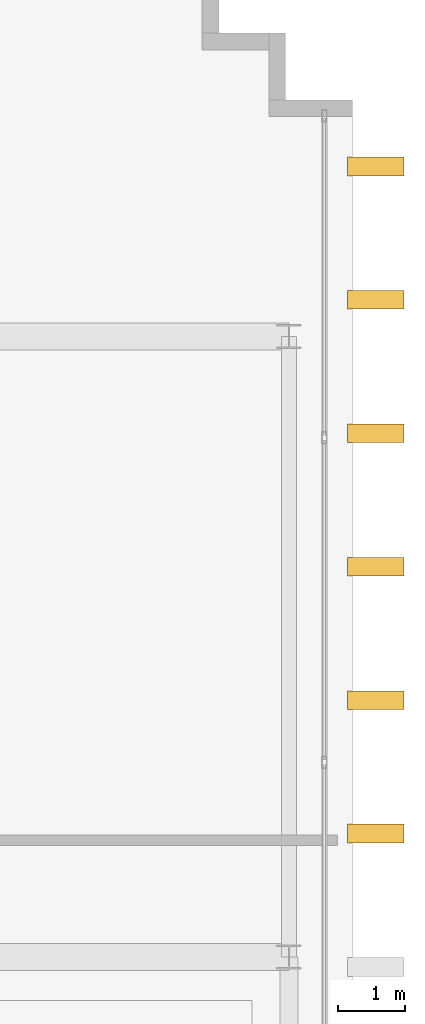
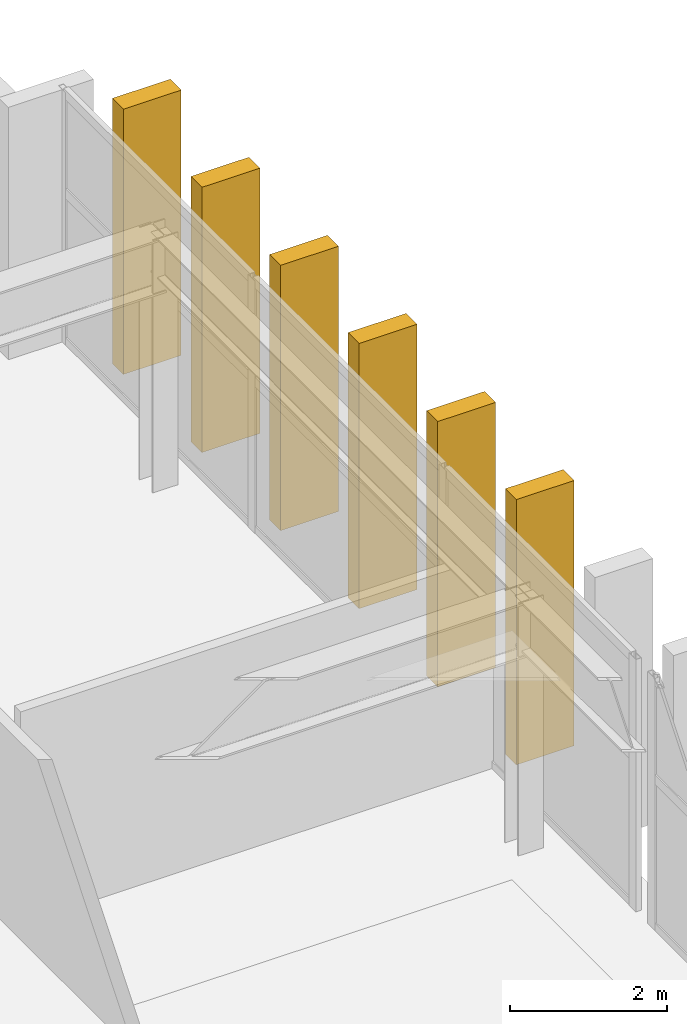
# One storey, part 14 of 14: 6 shading devices.
"""IFC4 building model written with IfcOpenShell, lengths in metres."""

from ifc_helpers import new_model, si_unit, direction, frame, origin, origin_2d, place, context, subcontext, project, spatial, rectangle, extrude, source, transform, mapped, material, type_object, element, save


model = new_model("IFC4")

# Units and contexts
model_context = context("Model", 3, precision=1e-05, world=origin(), true_north=direction((0.0, 1.0)))
body_context = subcontext(model_context, "Body", "Model", "MODEL_VIEW")
ifc_project = project(units=[si_unit("LENGTHUNIT", "METRE"), si_unit("AREAUNIT", "SQUARE_METRE"), si_unit("VOLUMEUNIT", "CUBIC_METRE"), si_unit("PLANEANGLEUNIT", "RADIAN"), si_unit("MASSUNIT", "GRAM", prefix="KILO")], contexts=[model_context])

# Site, building, storey
site_placement = place(None, origin())
site = spatial("IfcSite", under=ifc_project, at=site_placement, CompositionType="ELEMENT")
building_placement = place(site_placement, origin())
building = spatial("IfcBuilding", under=site, at=building_placement, Name="Ocotamira Hotel", CompositionType="ELEMENT")
storey_placement = place(building_placement, frame((0.0, 0.0, 301.199951171875)))
storey = spatial("IfcBuildingStorey", under=building, at=storey_placement, Name="L77", CompositionType="ELEMENT", Elevation=301.199951171875)

# Shading devices
ifc_material = material(Name="Pale-metal anodised aluminium architectural fin", Category="aluminium")
shading_device_type = type_object("IfcShadingDeviceType", Name="SHD-PIER-850", PredefinedType="USERDEFINED", material=ifc_material)
shared_shape = source(origin(), body_context, "Body", "SweptSolid", [
    extrude(rectangle(XDim=0.85009765625, YDim=0.280029296875, at=origin_2d()), origin(), (0.0, 0.0, 1.0), 4.1201171875),
])
for number, where, z_axis, x_axis, name in (
    (1, (33.35009765625, 30.0, -0.10009765625), (0.0, 0.0, 1.0), (1.0, 0.0, 0.0), "L77 West Peak Vertical Pier X33 Y30"),
    (2, (33.35009765625, 32.0, -0.10009765625), (0.0, 0.0, 1.0), (1.0, 0.0, 0.0), "L77 West Peak Vertical Pier X33 Y32"),
    (3, (33.35009765625, 34.0, -0.10009765625), (0.0, 0.0, 1.0), (1.0, 0.0, 0.0), "L77 West Peak Vertical Pier X33 Y34"),
    (4, (33.35009765625, 36.0, -0.10009765625), (0.0, 0.0, 1.0), (1.0, 0.0, 0.0), "L77 West Peak Vertical Pier X33 Y36"),
    (5, (33.35009765625, 38.0, -0.10009765625), (0.0, 0.0, 1.0), (1.0, 0.0, 0.0), "L77 West Peak Vertical Pier X33 Y38"),
    (6, (33.35009765625, 40.0, -0.10009765625), (0.0, 0.0, 1.0), (1.0, 0.0, 0.0), "L77 West Peak Vertical Pier X33 Y40"),
):
    element("IfcShadingDevice", number, at=place(storey_placement, frame(where, z_axis=z_axis, x_axis=x_axis)), inside=storey, type_object=shading_device_type, Name=name, ObjectType="FIN", PredefinedType="USERDEFINED", context=body_context, shape_type="MappedRepresentation", body=[
        mapped(shared_shape, transform((0.0, 0.0, 0.0), scale=1.0)),
    ])

save(model, "model.ifc")
